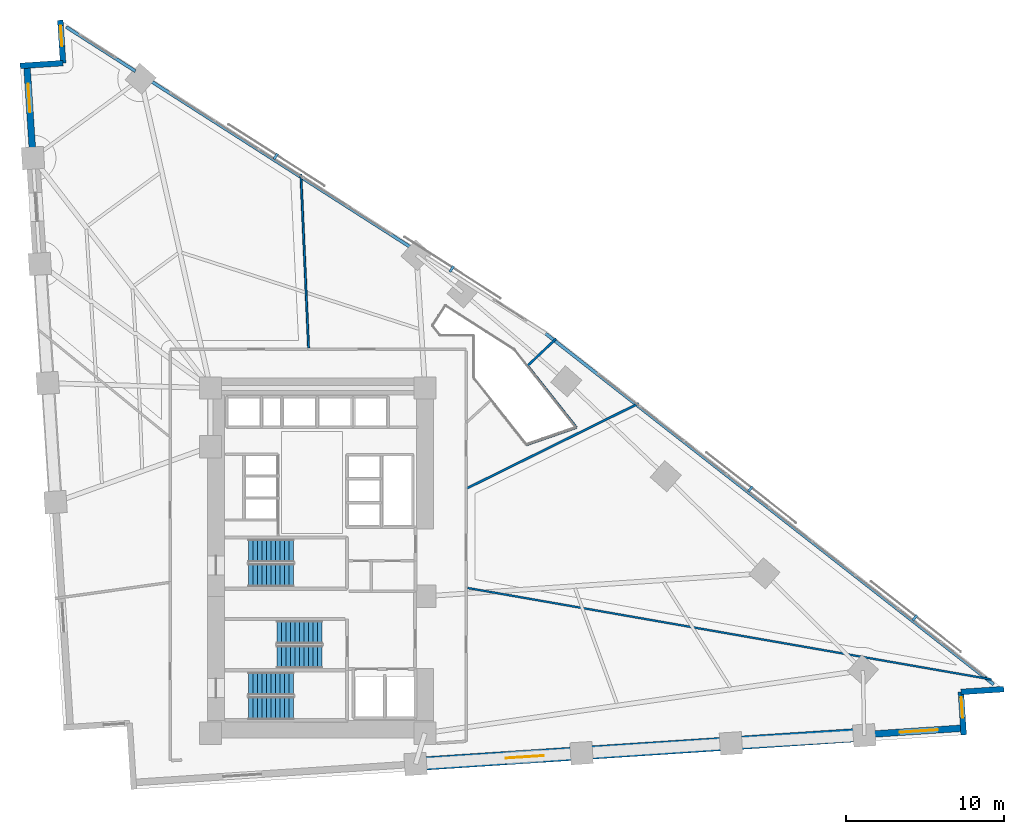
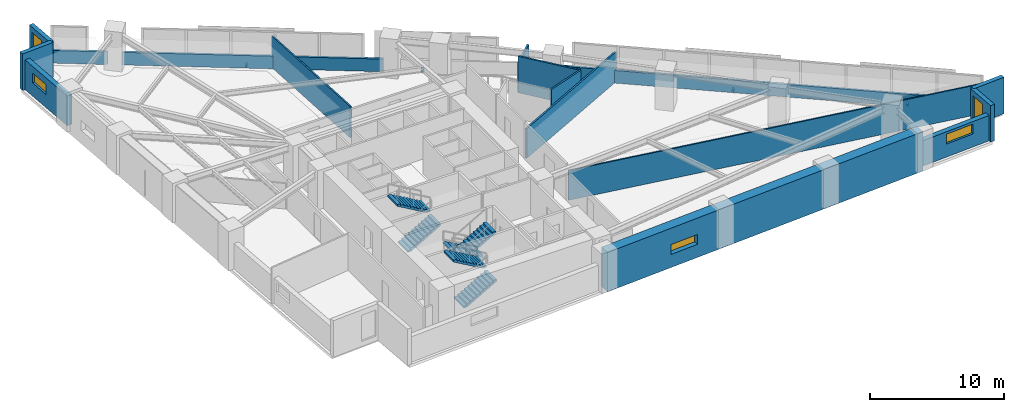
# One storey, part 13 of 15: 16 walls, 6 stair flights, 5 windows, 4 discrete accessories, 5 openings, 3 elements without a shape of their own.
"""IFC4 building model written with IfcOpenShell, lengths in metres."""

from ifc_helpers import new_model, si_unit, direction, frame, frame_2d, origin, origin_2d, place, context, subcontext, project, spatial, polyline, rectangle, outline, extrude, material, layer, layer_set, type_object, element, fill, aggregate, save


model = new_model("IFC4")

# Units and contexts
model_context = context("Model", 3, precision=1e-05, world=origin(), true_north=direction((0.0, 1.0)))
body_context = subcontext(model_context, "Body", "Model", "MODEL_VIEW")
ifc_project = project(units=[si_unit("LENGTHUNIT", "METRE"), si_unit("AREAUNIT", "SQUARE_METRE"), si_unit("VOLUMEUNIT", "CUBIC_METRE"), si_unit("PLANEANGLEUNIT", "RADIAN"), si_unit("MASSUNIT", "GRAM", prefix="KILO")], contexts=[model_context])

# Site, building, storey
site_placement = place(None, origin())
site = spatial("IfcSite", under=ifc_project, at=site_placement, CompositionType="ELEMENT")
building_placement = place(site_placement, origin())
building = spatial("IfcBuilding", under=site, at=building_placement, Name="Narakoshi Arena Tower", CompositionType="ELEMENT")
storey_placement = place(building_placement, frame((0.0, 0.0, 74.10009765625)))
storey = spatial("IfcBuildingStorey", under=building, at=storey_placement, Name="L19", CompositionType="ELEMENT", Elevation=74.10009765625)

# Wall, opening, window
ifc_material_1 = material(Name="Concrete C60/75", Category="concrete")
ifc_layer_1 = layer(ifc_material_1, 0.85009765625)
ifc_layer_set_1 = layer_set([ifc_layer_1], Name="Concrete C60/75")
wall_type_1 = type_object("IfcWallType", Name="WL-LEG-850", PredefinedType="SHEAR", material=ifc_layer_set_1)
wall_1_placement = place(storey_placement, frame((84.95703125, 32.7509765625, -0.260009765625), z_axis=(0.0, 0.0, 1.0), x_axis=(0.997859046449, 0.065401249368, 0.0)))
wall_1 = element("IfcWall", 1, at=wall_1_placement, inside=storey, type_object=wall_type_1, Name="L19 Architectural Concrete Structural Wall LEGA-2", PredefinedType="SHEAR", context=body_context, shape_type="SweptSolid", body=[
    extrude(rectangle(XDim=28.400390625, YDim=0.85009765625, at=frame_2d((14.2001953125, 0.0))), origin(), (0.0, 0.0, 1.0), 3.599853515625),
])
opening_1_placement = place(wall_1_placement, frame((5.699951171875, 0.0, 1.199951171875)))
opening_1 = element("IfcOpeningElement", 2, at=opening_1_placement, cuts=wall_1, Name="Opening WN-01", PredefinedType="OPENING", context=body_context, shape_type="SweptSolid", body=[
    extrude(rectangle(XDim=2.39990234375, YDim=0.89990234375, at=frame_2d((1.199951171875, 0.449951171875))), frame((0.0, 0.43505859375, 0.0), z_axis=(0.0, -1.0, 0.0), x_axis=(1.0, 0.0, 0.0)), (0.0, 0.0, 1.0), 0.8701171875),
])
ifc_material_2 = material(Name="Bronze-tinted low-E laminated glass", Category="glass")
window_type_1 = type_object("IfcWindowType", Name="WIN-SLT-24x09", PartitioningType="SINGLE_PANEL", PredefinedType="WINDOW", material=ifc_material_2)
window_1_placement = place(opening_1_placement, origin())
window_1 = element("IfcWindow", 3, at=window_1_placement, inside=storey, type_object=window_type_1, Name="L19 LEGA2 Horizontal Slot Window 1", OverallHeight=0.89990234375, OverallWidth=2.39990234375, PartitioningType="SINGLE_PANEL", PredefinedType="WINDOW", context=body_context, shape_type="SweptSolid", body=[
    extrude(rectangle(XDim=2.39990234375, YDim=0.89990234375, at=frame_2d((1.199951171875, 0.449951171875))), frame((0.0, 0.030029296875, 0.0), z_axis=(0.0, -1.0, 0.0), x_axis=(1.0, 0.0, 0.0)), (0.0, 0.0, 1.0), 0.06005859375),
])
fill(opening_1, window_1)

# Walls
ifc_material_3 = material(Name="Precast concrete C45/55", Category="concrete")
ifc_layer_2 = layer(ifc_material_3, 0.25)
ifc_layer_set_2 = layer_set([ifc_layer_2], Name="Precast concrete C45/55")
wall_type_2 = type_object("IfcWallType", Name="WL-PARA-250", PredefinedType="PARAPET", material=ifc_layer_set_2)
wall_2_placement = place(storey_placement, frame((121.47607421875, 37.781494140625, 0.0), z_axis=(0.0, 0.0, 1.0), x_axis=(-0.787385636484, 0.61646075257, 0.0)))
element("IfcWall", 4, at=wall_2_placement, inside=storey, type_object=wall_type_2, Name="L19 Hypotenuse Sill Upstand Parapet 1-01", PredefinedType="PARAPET", context=body_context, shape_type="SweptSolid", body=[
    extrude(rectangle(XDim=35.957275390625, YDim=0.199951171875, at=frame_2d((17.978515625, 0.0))), origin(), (0.0, 0.0, 1.0), 1.14990234375),
])
wall_3_placement = place(storey_placement, frame((84.681640625, 65.372314453125, 0.0), z_axis=(0.0, 0.0, 1.0), x_axis=(-0.842418773655, 0.538823356763, 0.0)))
element("IfcWall", 5, at=wall_3_placement, inside=storey, type_object=wall_type_2, Name="L19 Hypotenuse Sill Upstand Parapet 2-02", PredefinedType="PARAPET", context=body_context, shape_type="SweptSolid", body=[
    extrude(rectangle(XDim=19.612060546875, YDim=0.199951171875, at=frame_2d((9.80615234375, 0.0))), origin(), (0.0, 0.0, 1.0), 1.14990234375),
])
wall_4_placement = place(storey_placement, frame((67.2568359375, 76.517578125, 0.0), z_axis=(0.0, 0.0, 1.0), x_axis=(-0.842403631411, 0.538847030042, 0.0)))
element("IfcWall", 6, at=wall_4_placement, inside=storey, type_object=wall_type_2, Name="L19 Hypotenuse Sill Upstand Parapet 2-03", PredefinedType="PARAPET", context=body_context, shape_type="SweptSolid", body=[
    extrude(rectangle(XDim=5.1962890625, YDim=0.199951171875, at=frame_2d((2.59814453125, 0.0))), origin(), (0.0, 0.0, 1.0), 1.14990234375),
])
ifc_material_4 = material(Name="Gypsum plasterboard fire-rated partition")
ifc_layer_3 = layer(ifc_material_4, 0.125)
ifc_layer_set_3 = layer_set([ifc_layer_3], Name="Gypsum plasterboard fire-rated partition")
wall_type_3 = type_object("IfcWallType", Name="WL-PART-125", PredefinedType="PARTITIONING", material=ifc_layer_set_3)
wall_5_placement = place(storey_placement, frame((88.244384765625, 43.872802734375, 0.0), z_axis=(0.0, 0.0, 1.0), x_axis=(0.985097650445, -0.171995985671, 0.0)))
element("IfcWall", 7, at=wall_5_placement, inside=storey, type_object=wall_type_3, Name="L19 Inter-Room Partition 02-03", PredefinedType="PARTITIONING", context=body_context, shape_type="SweptSolid", body=[
    extrude(rectangle(XDim=33.59130859375, YDim=0.125, at=frame_2d((16.795654296875, 0.0))), origin(), (0.0, 0.0, 1.0), 2.724853515625),
])
wall_6_placement = place(storey_placement, frame((78.19580078125, 59.04443359375, 0.0), z_axis=(0.0, 0.0, 1.0), x_axis=(-0.044280871552, 0.999019121146, 0.0)))
element("IfcWall", 8, at=wall_6_placement, inside=storey, type_object=wall_type_3, Name="L19 Inter-Room Partition 05-06", PredefinedType="PARTITIONING", context=body_context, shape_type="SweptSolid", body=[
    extrude(rectangle(XDim=10.98828125, YDim=0.125, at=frame_2d((5.494140625, 0.0))), origin(), (0.0, 0.0, 1.0), 2.875),
])

# Wall, opening, window
ifc_layer_4 = layer(ifc_material_3, 0.419921875)
ifc_layer_set_4 = layer_set([ifc_layer_4], Name="Precast concrete C45/55")
wall_type_4 = type_object("IfcWallType", Name="WL-POD-420", PredefinedType="SOLIDWALL", material=ifc_layer_set_4)
wall_7_placement = place(storey_placement, frame((113.296630859375, 34.6083984375, 0.0), z_axis=(0.0, 0.0, 1.0), x_axis=(0.997857907016, 0.065418631945, 0.0)))
wall_7 = element("IfcWall", 9, at=wall_7_placement, inside=storey, type_object=wall_type_4, Name="L19 Architectural Concrete Facade Wall LEGA-3", PredefinedType="SOLIDWALL", context=body_context, shape_type="SweptSolid", body=[
    extrude(rectangle(XDim=6.2734375, YDim=0.419921875, at=frame_2d((3.13671875, 0.0))), origin(), (0.0, 0.0, 1.0), 2.324951171875),
])
opening_2_placement = place(wall_7_placement, frame((2.25341796875, 0.0, 1.199951171875)))
opening_2 = element("IfcOpeningElement", 10, at=opening_2_placement, cuts=wall_7, Name="Opening WN-01", PredefinedType="OPENING", context=body_context, shape_type="SweptSolid", body=[
    extrude(rectangle(XDim=2.39990234375, YDim=0.89990234375, at=frame_2d((1.199951171875, 0.449951171875))), frame((0.0, 0.219970703125, 0.0), z_axis=(0.0, -1.0, 0.0), x_axis=(1.0, 0.0, 0.0)), (0.0, 0.0, 1.0), 0.43994140625),
])
window_2_placement = place(opening_2_placement, origin())
window_2 = element("IfcWindow", 11, at=window_2_placement, inside=storey, type_object=window_type_1, Name="L19 LEGA3 Horizontal Slot Window 1", OverallHeight=0.89990234375, OverallWidth=2.39990234375, PartitioningType="SINGLE_PANEL", PredefinedType="WINDOW", context=body_context, shape_type="SweptSolid", body=[
    extrude(rectangle(XDim=2.39990234375, YDim=0.89990234375, at=frame_2d((1.199951171875, 0.449951171875))), frame((0.0, 0.030029296875, 0.0), z_axis=(0.0, -1.0, 0.0), x_axis=(1.0, 0.0, 0.0)), (0.0, 0.0, 1.0), 0.06005859375),
])
fill(opening_2, window_2)

wall_8_placement = place(storey_placement, frame((60.40185546875, 76.8828125, 0.0), z_axis=(0.0, 0.0, 1.0), x_axis=(0.065402662459, -0.997858953832, 0.0)))
wall_8 = element("IfcWall", 12, at=wall_8_placement, inside=storey, type_object=wall_type_4, Name="L19 Architectural Concrete Facade Wall LEGB-1", PredefinedType="SOLIDWALL", context=body_context, shape_type="SweptSolid", body=[
    extrude(rectangle(XDim=5.8642578125, YDim=0.419921875, at=frame_2d((2.93212890625, 0.0))), origin(), (0.0, 0.0, 1.0), 2.724853515625),
])
opening_3_placement = place(wall_8_placement, frame((1.1708984375, 0.0, 1.199951171875)))
opening_3 = element("IfcOpeningElement", 13, at=opening_3_placement, cuts=wall_8, Name="Opening WN-02", PredefinedType="OPENING", context=body_context, shape_type="SweptSolid", body=[
    extrude(rectangle(XDim=1.800048828125, YDim=0.89990234375, at=frame_2d((0.89990234375, 0.449951171875))), frame((0.0, 0.219970703125, 0.0), z_axis=(0.0, -1.0, 0.0), x_axis=(1.0, 0.0, 0.0)), (0.0, 0.0, 1.0), 0.43994140625),
])
window_type_2 = type_object("IfcWindowType", Name="WIN-SLT-18x09", PartitioningType="SINGLE_PANEL", PredefinedType="WINDOW", material=ifc_material_2)
window_3_placement = place(opening_3_placement, origin())
window_3 = element("IfcWindow", 14, at=window_3_placement, inside=storey, type_object=window_type_2, Name="L19 LEGB1 Horizontal Slot Window 1", OverallHeight=0.89990234375, OverallWidth=1.800048828125, PartitioningType="SINGLE_PANEL", PredefinedType="WINDOW", context=body_context, shape_type="SweptSolid", body=[
    extrude(rectangle(XDim=1.800048828125, YDim=0.89990234375, at=frame_2d((0.89990234375, 0.449951171875))), frame((0.0, 0.030029296875, 0.0), z_axis=(0.0, -1.0, 0.0), x_axis=(1.0, 0.0, 0.0)), (0.0, 0.0, 1.0), 0.06005859375),
])
fill(opening_3, window_3)

wall_9_placement = place(storey_placement, frame((119.58447265625, 34.594482421875, 0.0), z_axis=(0.0, 0.0, 1.0), x_axis=(-0.065427374496, 0.997857333824, 0.0)))
wall_9 = element("IfcWall", 15, at=wall_9_placement, inside=storey, type_object=wall_type_4, Name="L19 Re-Entrant Corner Notch Wall NTE-1", PredefinedType="SOLIDWALL", context=body_context, shape_type="SweptSolid", body=[
    extrude(rectangle(XDim=2.716552734375, YDim=0.360107421875, at=frame_2d((1.3583984375, 0.0))), origin(), (0.0, 0.0, 1.0), 3.33984375),
])
opening_4_placement = place(wall_9_placement, frame((1.076416015625, 0.0, 0.449951171875)))
opening_4 = element("IfcOpeningElement", 16, at=opening_4_placement, cuts=wall_9, Name="Opening WN-06", PredefinedType="OPENING", context=body_context, shape_type="SweptSolid", body=[
    extrude(rectangle(XDim=1.300048828125, YDim=2.39990234375, at=frame_2d((0.64990234375, 1.199951171875))), frame((0.0, 0.18994140625, 0.0), z_axis=(0.0, -1.0, 0.0), x_axis=(1.0, 0.0, 0.0)), (0.0, 0.0, 1.0), 0.380126953125),
])
window_type_3 = type_object("IfcWindowType", Name="WIN-NTC-16x24", PartitioningType="SINGLE_PANEL", PredefinedType="WINDOW", material=ifc_material_2)
window_4_placement = place(opening_4_placement, origin())
window_4 = element("IfcWindow", 17, at=window_4_placement, inside=storey, type_object=window_type_3, Name="L19 Corner Notch Window NTE", OverallHeight=2.39990234375, OverallWidth=1.300048828125, PartitioningType="SINGLE_PANEL", PredefinedType="WINDOW", context=body_context, shape_type="SweptSolid", body=[
    extrude(rectangle(XDim=1.300048828125, YDim=2.39990234375, at=frame_2d((0.64990234375, 1.199951171875))), frame((0.0, 0.030029296875, 0.0), z_axis=(0.0, -1.0, 0.0), x_axis=(1.0, 0.0, 0.0)), (0.0, 0.0, 1.0), 0.06005859375),
])
fill(opening_4, window_4)

# Wall
wall_10_placement = place(storey_placement, frame((119.40673828125, 37.30517578125, 0.0), z_axis=(0.0, 0.0, 1.0), x_axis=(0.99785694905, 0.065433242561, 0.0)))
element("IfcWall", 18, at=wall_10_placement, inside=storey, type_object=wall_type_4, Name="L19 Re-Entrant Corner Notch Wall NTE-2", PredefinedType="SOLIDWALL", context=body_context, shape_type="SweptSolid", body=[
    extrude(rectangle(XDim=2.71630859375, YDim=0.360107421875, at=frame_2d((1.358154296875, 0.0))), origin(), (0.0, 0.0, 1.0), 3.33984375),
])

# Wall, opening, window
wall_11_placement = place(storey_placement, frame((62.5107421875, 79.743408203125, 0.0), z_axis=(0.0, 0.0, 1.0), x_axis=(0.065337885661, -0.997863197386, 0.0)))
wall_11 = element("IfcWall", 19, at=wall_11_placement, inside=storey, type_object=wall_type_4, Name="L19 Re-Entrant Corner Notch Wall NTN-1", PredefinedType="SOLIDWALL", context=body_context, shape_type="SweptSolid", body=[
    extrude(rectangle(XDim=2.716552734375, YDim=0.360107421875, at=frame_2d((1.3583984375, 0.0))), origin(), (0.0, 0.0, 1.0), 3.33984375),
])
opening_5_placement = place(wall_11_placement, frame((0.340087890625, 0.0, 0.449951171875)))
opening_5 = element("IfcOpeningElement", 20, at=opening_5_placement, cuts=wall_11, Name="Opening WN-06", PredefinedType="OPENING", context=body_context, shape_type="SweptSolid", body=[
    extrude(rectangle(XDim=1.300048828125, YDim=2.39990234375, at=frame_2d((0.64990234375, 1.199951171875))), frame((0.0, 0.18994140625, 0.0), z_axis=(0.0, -1.0, 0.0), x_axis=(1.0, 0.0, 0.0)), (0.0, 0.0, 1.0), 0.380126953125),
])
window_5_placement = place(opening_5_placement, origin())
window_5 = element("IfcWindow", 21, at=window_5_placement, inside=storey, type_object=window_type_3, Name="L19 Corner Notch Window NTN", OverallHeight=2.39990234375, OverallWidth=1.300048828125, PartitioningType="SINGLE_PANEL", PredefinedType="WINDOW", context=body_context, shape_type="SweptSolid", body=[
    extrude(rectangle(XDim=1.300048828125, YDim=2.39990234375, at=frame_2d((0.64990234375, 1.199951171875))), frame((0.0, 0.030029296875, 0.0), z_axis=(0.0, -1.0, 0.0), x_axis=(1.0, 0.0, 0.0)), (0.0, 0.0, 1.0), 0.06005859375),
])
fill(opening_5, window_5)

# Walls
wall_12_placement = place(storey_placement, frame((62.688232421875, 77.03271484375, 0.0), z_axis=(0.0, 0.0, 1.0), x_axis=(-0.99785694905, -0.065433242561, 0.0)))
element("IfcWall", 22, at=wall_12_placement, inside=storey, type_object=wall_type_4, Name="L19 Re-Entrant Corner Notch Wall NTN-2", PredefinedType="SOLIDWALL", context=body_context, shape_type="SweptSolid", body=[
    extrude(rectangle(XDim=2.71630859375, YDim=0.360107421875, at=frame_2d((1.358154296875, 0.0))), origin(), (0.0, 0.0, 1.0), 3.33984375),
])
ifc_material_5 = material(Name="Moisture-resistant cement-board partition")
ifc_layer_5 = layer(ifc_material_5, 0.14501953125)
ifc_layer_set_5 = layer_set([ifc_layer_5], Name="Moisture-resistant cement-board partition")
wall_type_5 = type_object("IfcWallType", Name="WL-WET-145", PredefinedType="PARTITIONING", material=ifc_layer_set_5)
wall_13_placement = place(storey_placement, frame((88.217041015625, 50.17724609375, 0.0), z_axis=(0.0, 0.0, 1.0), x_axis=(0.896389037866, 0.443268195107, 0.0)))
element("IfcWall", 23, at=wall_13_placement, inside=storey, type_object=wall_type_5, Name="L19 Inter-Room Partition 03-04", PredefinedType="PARTITIONING", context=body_context, shape_type="SweptSolid", body=[
    extrude(rectangle(XDim=12.09228515625, YDim=0.14501953125, at=frame_2d((6.046142578125, 0.0))), origin(), (0.0, 0.0, 1.0), 2.724853515625),
])
wall_14_placement = place(storey_placement, frame((92.03515625, 57.91796875, 0.0), z_axis=(0.0, 0.0, 1.0), x_axis=(0.726652905303, 0.687004770882, 0.0)))
element("IfcWall", 24, at=wall_14_placement, inside=storey, type_object=wall_type_5, Name="L19 Inter-Room Partition 04-05", PredefinedType="PARTITIONING", context=body_context, shape_type="SweptSolid", body=[
    extrude(rectangle(XDim=2.4814453125, YDim=0.14501953125, at=frame_2d((1.24072265625, 0.0))), origin(), (0.0, 0.0, 1.0), 2.724853515625),
])
wall_15_placement = place(storey_placement, frame((91.949951171875, 52.9111328125, 0.0), z_axis=(0.0, 0.0, 1.0), x_axis=(0.945018885272, 0.327015758762, 0.0)))
element("IfcWall", 25, at=wall_15_placement, inside=storey, type_object=wall_type_5, Name="L19 Room Enclosure Partition 04-2", PredefinedType="PARTITIONING", context=body_context, shape_type="SweptSolid", body=[
    extrude(rectangle(XDim=3.361083984375, YDim=0.14501953125, at=frame_2d((1.6806640625, 0.0))), origin(), (0.0, 0.0, 1.0), 3.33984375),
])
wall_16_placement = place(storey_placement, frame((95.126220703125, 54.01025390625, 0.0), z_axis=(0.0, 0.0, 1.0), x_axis=(-0.620395425741, 0.784289178632, 0.0)))
element("IfcWall", 26, at=wall_16_placement, inside=storey, type_object=wall_type_5, Name="L19 Room Enclosure Partition 04-3", PredefinedType="PARTITIONING", context=body_context, shape_type="SweptSolid", body=[
    extrude(rectangle(XDim=4.98291015625, YDim=0.14501953125, at=frame_2d((2.491455078125, 0.0))), origin(), (0.0, 0.0, 1.0), 3.33984375),
])

# Stair, stair flights
ifc_material_6 = material(Name="Concrete C45/55", Category="concrete")
stair_type = type_object("IfcStairType", Name="STR-CORE-360", PredefinedType="TWO_STRAIGHT_RUN_STAIR", material=ifc_material_6)
stair_1_placement = place(storey_placement, origin())
stair_1 = element("IfcStair", 27, at=stair_1_placement, inside=storey, type_object=stair_type, Name="L19 Core Escape Stair ST1", PredefinedType="TWO_STRAIGHT_RUN_STAIR")
stair_flight_type = type_object("IfcStairFlightType", Name="FLT-145-160", PredefinedType="STRAIGHT", material=ifc_material_3)
stair_flight_1_placement = place(storey_placement, frame((74.39990234375, 36.27490234375, 0.0), z_axis=(0.0, 0.0, 1.0), x_axis=(1.0, 0.0, 0.0)))
stair_flight_1 = element("IfcStairFlight", 28, at=stair_flight_1_placement, type_object=stair_flight_type, Name="ST1 flight 1", NumberOfRisers=11, NumberOfTreads=10, PredefinedType="STRAIGHT", RiserHeight=0.163636364, TreadLength=0.285, context=body_context, shape_type="SweptSolid", body=[
    extrude(outline(polyline([(0.0, 0.0), (0.0, 0.16357421875), (0.284912109375, 0.16357421875), (0.284912109375, 0.327392578125), (0.570068359375, 0.327392578125), (0.570068359375, 0.490966796875), (0.85498046875, 0.490966796875), (0.85498046875, 0.654541015625), (1.139892578125, 0.654541015625), (1.139892578125, 0.818115234375), (1.425048828125, 0.818115234375), (1.425048828125, 0.98193359375), (1.7099609375, 0.98193359375), (1.7099609375, 1.1455078125), (1.9951171875, 1.1455078125), (1.9951171875, 1.30908203125), (2.280029296875, 1.30908203125), (2.280029296875, 1.47265625), (2.56494140625, 1.47265625), (2.56494140625, 1.636474609375), (2.85009765625, 1.636474609375), (2.85009765625, 1.800048828125), (2.85009765625, 1.463623046875), (0.301025390625, 0.0), (0.0, 0.0)])), frame((0.0, 0.72509765625, 0.0), z_axis=(0.0, -1.0, 0.0), x_axis=(1.0, 0.0, 0.0)), (0.0, 0.0, 1.0), 1.449951171875),
])
stair_flight_2_placement = place(storey_placement, frame((77.25, 37.824951171875, 1.7998046875), z_axis=(0.0, 0.0, 1.0), x_axis=(-1.0, 0.0, 0.0)))
stair_flight_2 = element("IfcStairFlight", 29, at=stair_flight_2_placement, type_object=stair_flight_type, Name="ST1 flight 2", NumberOfRisers=11, NumberOfTreads=10, PredefinedType="STRAIGHT", RiserHeight=0.163636364, TreadLength=0.285, context=body_context, shape_type="SweptSolid", body=[
    extrude(outline(polyline([(0.0, 0.0), (0.0, 0.16357421875), (0.284912109375, 0.16357421875), (0.284912109375, 0.327392578125), (0.570068359375, 0.327392578125), (0.570068359375, 0.490966796875), (0.85498046875, 0.490966796875), (0.85498046875, 0.654541015625), (1.139892578125, 0.654541015625), (1.139892578125, 0.818115234375), (1.425048828125, 0.818115234375), (1.425048828125, 0.98193359375), (1.7099609375, 0.98193359375), (1.7099609375, 1.1455078125), (1.9951171875, 1.1455078125), (1.9951171875, 1.30908203125), (2.280029296875, 1.30908203125), (2.280029296875, 1.47265625), (2.56494140625, 1.47265625), (2.56494140625, 1.636474609375), (2.85009765625, 1.636474609375), (2.85009765625, 1.800048828125), (2.85009765625, 1.463623046875), (0.301025390625, 0.0), (0.0, 0.0)])), frame((0.0, 0.72509765625, 0.0), z_axis=(0.0, -1.0, 0.0), x_axis=(1.0, 0.0, 0.0)), (0.0, 0.0, 1.0), 1.449951171875),
])
aggregate(stair_1, [stair_flight_1, stair_flight_2])

stair_2_placement = place(storey_placement, origin())
stair_2 = element("IfcStair", 30, at=stair_2_placement, inside=storey, type_object=stair_type, Name="L19 Core Escape Stair ST2", PredefinedType="TWO_STRAIGHT_RUN_STAIR")
stair_flight_3_placement = place(storey_placement, frame((79.050048828125, 41.074951171875, 0.0), z_axis=(0.0, 0.0, 1.0), x_axis=(-1.0, 0.0, 0.0)))
stair_flight_3 = element("IfcStairFlight", 31, at=stair_flight_3_placement, type_object=stair_flight_type, Name="ST2 flight 1", NumberOfRisers=11, NumberOfTreads=10, PredefinedType="STRAIGHT", RiserHeight=0.163636364, TreadLength=0.285, context=body_context, shape_type="SweptSolid", body=[
    extrude(outline(polyline([(0.0, 0.0), (0.0, 0.16357421875), (0.284912109375, 0.16357421875), (0.284912109375, 0.327392578125), (0.570068359375, 0.327392578125), (0.570068359375, 0.490966796875), (0.85498046875, 0.490966796875), (0.85498046875, 0.654541015625), (1.139892578125, 0.654541015625), (1.139892578125, 0.818115234375), (1.425048828125, 0.818115234375), (1.425048828125, 0.98193359375), (1.7099609375, 0.98193359375), (1.7099609375, 1.1455078125), (1.9951171875, 1.1455078125), (1.9951171875, 1.30908203125), (2.280029296875, 1.30908203125), (2.280029296875, 1.47265625), (2.56494140625, 1.47265625), (2.56494140625, 1.636474609375), (2.85009765625, 1.636474609375), (2.85009765625, 1.800048828125), (2.85009765625, 1.463623046875), (0.301025390625, 0.0), (0.0, 0.0)])), frame((0.0, 0.72509765625, 0.0), z_axis=(0.0, -1.0, 0.0), x_axis=(1.0, 0.0, 0.0)), (0.0, 0.0, 1.0), 1.449951171875),
])
stair_flight_4_placement = place(storey_placement, frame((76.199951171875, 39.52490234375, 1.7998046875), z_axis=(0.0, 0.0, 1.0), x_axis=(1.0, 0.0, 0.0)))
stair_flight_4 = element("IfcStairFlight", 32, at=stair_flight_4_placement, type_object=stair_flight_type, Name="ST2 flight 2", NumberOfRisers=11, NumberOfTreads=10, PredefinedType="STRAIGHT", RiserHeight=0.163636364, TreadLength=0.285, context=body_context, shape_type="SweptSolid", body=[
    extrude(outline(polyline([(0.0, 0.0), (0.0, 0.16357421875), (0.284912109375, 0.16357421875), (0.284912109375, 0.327392578125), (0.570068359375, 0.327392578125), (0.570068359375, 0.490966796875), (0.85498046875, 0.490966796875), (0.85498046875, 0.654541015625), (1.139892578125, 0.654541015625), (1.139892578125, 0.818115234375), (1.425048828125, 0.818115234375), (1.425048828125, 0.98193359375), (1.7099609375, 0.98193359375), (1.7099609375, 1.1455078125), (1.9951171875, 1.1455078125), (1.9951171875, 1.30908203125), (2.280029296875, 1.30908203125), (2.280029296875, 1.47265625), (2.56494140625, 1.47265625), (2.56494140625, 1.636474609375), (2.85009765625, 1.636474609375), (2.85009765625, 1.800048828125), (2.85009765625, 1.463623046875), (0.301025390625, 0.0), (0.0, 0.0)])), frame((0.0, 0.72509765625, 0.0), z_axis=(0.0, -1.0, 0.0), x_axis=(1.0, 0.0, 0.0)), (0.0, 0.0, 1.0), 1.449951171875),
])
aggregate(stair_2, [stair_flight_3, stair_flight_4])

stair_3_placement = place(storey_placement, origin())
stair_3 = element("IfcStair", 33, at=stair_3_placement, inside=storey, type_object=stair_type, Name="L19 Core Escape Stair ST3", PredefinedType="TWO_STRAIGHT_RUN_STAIR")
stair_flight_5_placement = place(storey_placement, frame((74.39990234375, 44.675048828125, 0.0), z_axis=(0.0, 0.0, 1.0), x_axis=(1.0, 0.0, 0.0)))
stair_flight_5 = element("IfcStairFlight", 34, at=stair_flight_5_placement, type_object=stair_flight_type, Name="ST3 flight 1", NumberOfRisers=11, NumberOfTreads=10, PredefinedType="STRAIGHT", RiserHeight=0.163636364, TreadLength=0.285, context=body_context, shape_type="SweptSolid", body=[
    extrude(outline(polyline([(0.0, 0.0), (0.0, 0.16357421875), (0.284912109375, 0.16357421875), (0.284912109375, 0.327392578125), (0.570068359375, 0.327392578125), (0.570068359375, 0.490966796875), (0.85498046875, 0.490966796875), (0.85498046875, 0.654541015625), (1.139892578125, 0.654541015625), (1.139892578125, 0.818115234375), (1.425048828125, 0.818115234375), (1.425048828125, 0.98193359375), (1.7099609375, 0.98193359375), (1.7099609375, 1.1455078125), (1.9951171875, 1.1455078125), (1.9951171875, 1.30908203125), (2.280029296875, 1.30908203125), (2.280029296875, 1.47265625), (2.56494140625, 1.47265625), (2.56494140625, 1.636474609375), (2.85009765625, 1.636474609375), (2.85009765625, 1.800048828125), (2.85009765625, 1.463623046875), (0.301025390625, 0.0), (0.0, 0.0)])), frame((0.0, 0.72509765625, 0.0), z_axis=(0.0, -1.0, 0.0), x_axis=(1.0, 0.0, 0.0)), (0.0, 0.0, 1.0), 1.449951171875),
])
stair_flight_6_placement = place(storey_placement, frame((77.25, 46.22509765625, 1.7998046875), z_axis=(0.0, 0.0, 1.0), x_axis=(-1.0, 0.0, 0.0)))
stair_flight_6 = element("IfcStairFlight", 35, at=stair_flight_6_placement, type_object=stair_flight_type, Name="ST3 flight 2", NumberOfRisers=11, NumberOfTreads=10, PredefinedType="STRAIGHT", RiserHeight=0.163636364, TreadLength=0.285, context=body_context, shape_type="SweptSolid", body=[
    extrude(outline(polyline([(0.0, 0.0), (0.0, 0.16357421875), (0.284912109375, 0.16357421875), (0.284912109375, 0.327392578125), (0.570068359375, 0.327392578125), (0.570068359375, 0.490966796875), (0.85498046875, 0.490966796875), (0.85498046875, 0.654541015625), (1.139892578125, 0.654541015625), (1.139892578125, 0.818115234375), (1.425048828125, 0.818115234375), (1.425048828125, 0.98193359375), (1.7099609375, 0.98193359375), (1.7099609375, 1.1455078125), (1.9951171875, 1.1455078125), (1.9951171875, 1.30908203125), (2.280029296875, 1.30908203125), (2.280029296875, 1.47265625), (2.56494140625, 1.47265625), (2.56494140625, 1.636474609375), (2.85009765625, 1.636474609375), (2.85009765625, 1.800048828125), (2.85009765625, 1.463623046875), (0.301025390625, 0.0), (0.0, 0.0)])), frame((0.0, 0.72509765625, 0.0), z_axis=(0.0, -1.0, 0.0), x_axis=(1.0, 0.0, 0.0)), (0.0, 0.0, 1.0), 1.449951171875),
])
aggregate(stair_3, [stair_flight_5, stair_flight_6])

# Discrete accessories
ifc_material_7 = material(Name="Structural steel S355J2", Category="steel")
discrete_accessory_type = type_object("IfcDiscreteAccessoryType", Name="ACC-BRK-SCR", PredefinedType="BRACKET", material=ifc_material_7)
for number, where, z_axis, x_axis, name in (
    (36, (116.497314453125, 41.984375, -0.080078125), (0.0, 0.0, 1.0), (-0.787387121413, 0.616458855912, 0.0), "L19 Solar Screen Support Bracket SHD-L19-SCR1-1"),
    (37, (106.103759765625, 50.12158203125, -0.080078125), (0.0, 0.0, 1.0), (-0.787387121413, 0.616458855912, 0.0), "L19 Solar Screen Support Bracket SHD-L19-SCR1-2"),
    (38, (87.239990234375, 64.020751953125, -0.080078125), (0.0, 0.0, 1.0), (-0.842414781658, 0.538829597966, 0.0), "L19 Solar Screen Support Bracket SHD-L19-SCR2-1"),
    (39, (76.1201171875, 71.13330078125, -0.080078125), (0.0, 0.0, 1.0), (-0.842414781658, 0.538829597966, 0.0), "L19 Solar Screen Support Bracket SHD-L19-SCR2-2"),
):
    element("IfcDiscreteAccessory", number, at=place(storey_placement, frame(where, z_axis=z_axis, x_axis=x_axis)), inside=storey, type_object=discrete_accessory_type, Name=name, PredefinedType="BRACKET", context=body_context, shape_type="SweptSolid", body=[
        extrude(rectangle(XDim=0.159912109375, YDim=0.425048828125, at=origin_2d()), origin(), (0.0, 0.0, 1.0), 0.199951171875),
    ])

save(model, "model.ifc")
